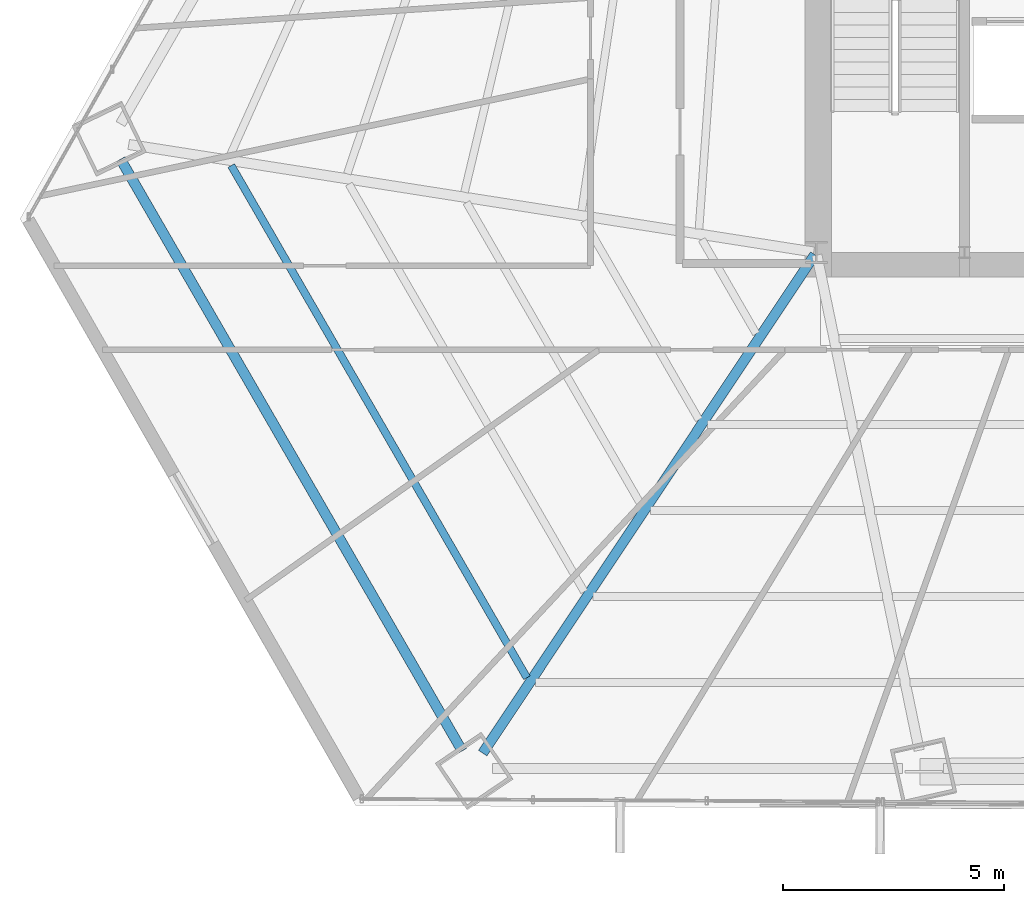
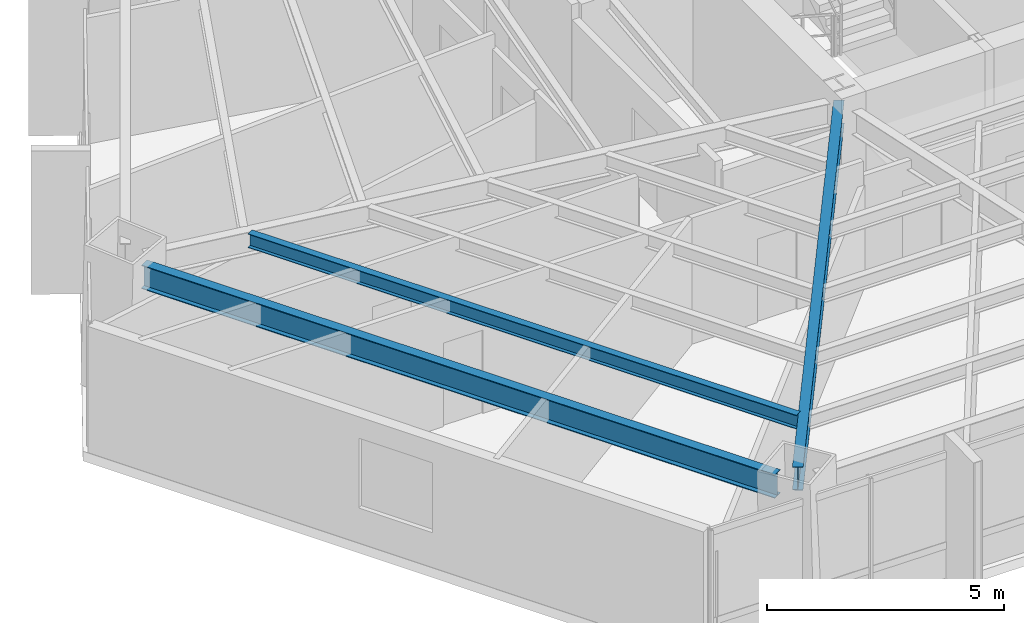
# One storey, part 5 of 39: 3 beams.
"""IFC4 building model written with IfcOpenShell, lengths in metres."""

from ifc_helpers import new_model, si_unit, direction, frame, origin, origin_2d, place, context, subcontext, project, spatial, i_section, extrude, source, transform, mapped, material, material_profile, profile_set, type_object, type_shapes, element, save


model = new_model("IFC4")

# Units and contexts
model_context = context("Model", 3, precision=1e-05, world=origin(), true_north=direction((0.0, 1.0)))
body_context = subcontext(model_context, "Body", "Model", "MODEL_VIEW")
ifc_project = project(units=[si_unit("LENGTHUNIT", "METRE"), si_unit("AREAUNIT", "SQUARE_METRE"), si_unit("VOLUMEUNIT", "CUBIC_METRE"), si_unit("PLANEANGLEUNIT", "RADIAN"), si_unit("MASSUNIT", "GRAM", prefix="KILO")], contexts=[model_context])

# Site, building, storey
site_placement = place(None, origin())
site = spatial("IfcSite", under=ifc_project, at=site_placement, CompositionType="ELEMENT")
building_placement = place(site_placement, origin())
building = spatial("IfcBuilding", under=site, at=building_placement, Name="Caelisora Broadcast Tower", CompositionType="ELEMENT")
storey_placement = place(building_placement, frame((0.0, 0.0, 71.39990234375)))
storey = spatial("IfcBuildingStorey", under=building, at=storey_placement, Name="L18", CompositionType="ELEMENT", Elevation=71.39990234375)

# Beams
ifc_material = material(Name="Steel Grade 350 (AS/NZS 3679.1)", Category="steel")
ifc_material_profile_1 = material_profile(ifc_material, i_section(OverallWidth=0.22900390625, OverallDepth=0.611572265625, WebThickness=0.011962890625, FlangeThickness=0.01953125, at=origin_2d()), Name="Steel Grade 350 (AS/NZS 3679.1)")
ifc_profile_set_1 = profile_set([ifc_material_profile_1], Name="Steel Grade 350 (AS/NZS 3679.1)")
beam_type_1 = type_object("IfcBeamType", Name="PG03", PredefinedType="BEAM", material=ifc_profile_set_1)
shared_shape_1 = source(origin(), body_context, "Body", "SweptSolid", [
    extrude(i_section(OverallWidth=0.22900390625, OverallDepth=0.611572265625, WebThickness=0.011962890625, FlangeThickness=0.01953125, at=origin_2d()), origin(), (0.0, 0.0, 1.0), 15.43603515625),
])
type_shapes(beam_type_1, [shared_shape_1])
beam_1_placement = place(storey_placement, frame((14.780517578125, 19.506103515625, 2.9443359375), z_axis=(0.500002206504, -0.866024129855, 0.0), x_axis=(0.866024129855, 0.500002206504, 0.0)))
element("IfcBeam", 1, at=beam_1_placement, inside=storey, type_object=beam_type_1, Name="L18 beam PG03", PredefinedType="BEAM", context=body_context, shape_type="MappedRepresentation", body=[
    mapped(shared_shape_1, transform((0.0, 0.0, 0.0), scale=1.0)),
])
ifc_material_profile_2 = material_profile(ifc_material, i_section(OverallWidth=0.22802734375, OverallDepth=0.602294921875, WebThickness=0.010498046875, FlangeThickness=0.014892578125, at=origin_2d()), Name="Steel Grade 350 (AS/NZS 3679.1)")
ifc_profile_set_2 = profile_set([ifc_material_profile_2], Name="Steel Grade 350 (AS/NZS 3679.1)")
beam_type_2 = type_object("IfcBeamType", Name="PG04", PredefinedType="BEAM", material=ifc_profile_set_2)
shared_shape_2 = source(origin(), body_context, "Body", "SweptSolid", [
    extrude(i_section(OverallWidth=0.22802734375, OverallDepth=0.602294921875, WebThickness=0.010498046875, FlangeThickness=0.014892578125, at=origin_2d()), origin(), (0.0, 0.0, 1.0), 13.53271484375),
])
type_shapes(beam_type_2, [shared_shape_2])
beam_2_placement = place(storey_placement, frame((30.466796875, 17.35009765625, 2.948974609375), z_axis=(-0.554608601387, -0.832111350282, 0.0), x_axis=(0.832111350282, -0.554608601387, 0.0)))
element("IfcBeam", 2, at=beam_2_placement, inside=storey, type_object=beam_type_2, Name="L18 beam PG04", PredefinedType="BEAM", context=body_context, shape_type="MappedRepresentation", body=[
    mapped(shared_shape_2, transform((0.0, 0.0, 0.0), scale=1.0)),
])
ifc_material_profile_3 = material_profile(ifc_material, i_section(OverallWidth=0.172119140625, OverallDepth=0.358642578125, WebThickness=0.008056640625, FlangeThickness=0.012939453125, at=origin_2d()), Name="Steel Grade 350 (AS/NZS 3679.1)")
ifc_profile_set_3 = profile_set([ifc_material_profile_3], Name="Steel Grade 350 (AS/NZS 3679.1)")
beam_type_3 = type_object("IfcBeamType", Name="SB02", PredefinedType="JOIST", material=ifc_profile_set_3)
shared_shape_3 = source(origin(), body_context, "Body", "SweptSolid", [
    extrude(i_section(OverallWidth=0.172119140625, OverallDepth=0.358642578125, WebThickness=0.008056640625, FlangeThickness=0.012939453125, at=origin_2d()), origin(), (0.0, 0.0, 1.0), 13.3623046875),
])
type_shapes(beam_type_3, [shared_shape_3])
beam_3_placement = place(storey_placement, frame((17.280517578125, 19.36279296875, 3.07080078125), z_axis=(0.500002392449, -0.866024022499, 0.0), x_axis=(0.866024022499, 0.500002392449, 0.0)))
element("IfcBeam", 3, at=beam_3_placement, inside=storey, type_object=beam_type_3, Name="L18 beam SB02", PredefinedType="JOIST", context=body_context, shape_type="MappedRepresentation", body=[
    mapped(shared_shape_3, transform((0.0, 0.0, 0.0), scale=1.0)),
])

save(model, "model.ifc")
